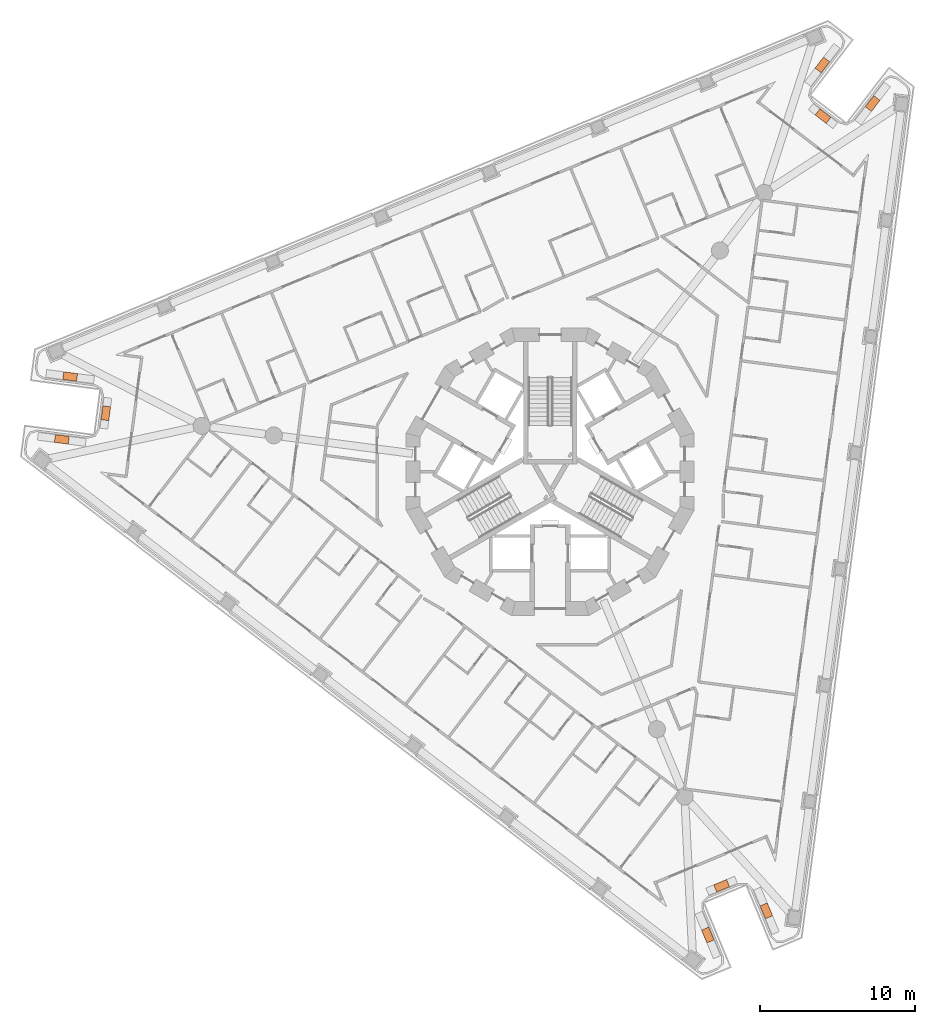
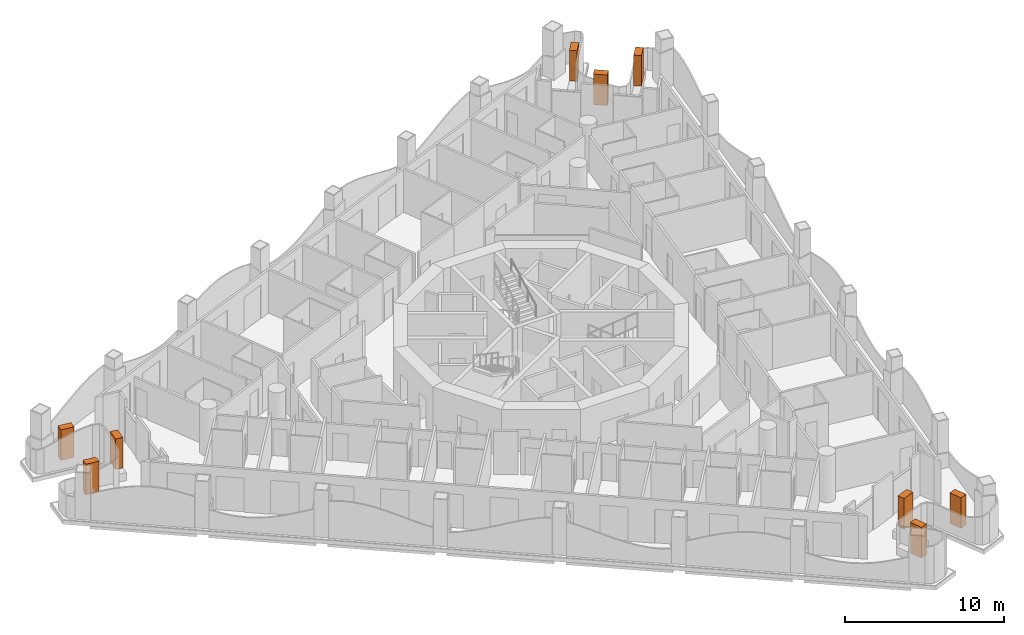
# One storey, part 18 of 18: 9 geographic elements.
"""IFC4 building model written with IfcOpenShell, lengths in metres."""

from ifc_helpers import new_model, si_unit, direction, frame, origin, origin_2d, place, context, subcontext, project, spatial, rectangle, extrude, element, save


model = new_model("IFC4")

# Units and contexts
model_context = context("Model", 3, precision=1e-05, world=origin(), true_north=direction((0.0, 1.0)))
body_context = subcontext(model_context, "Body", "Model", "MODEL_VIEW")
ifc_project = project(units=[si_unit("LENGTHUNIT", "METRE"), si_unit("AREAUNIT", "SQUARE_METRE"), si_unit("VOLUMEUNIT", "CUBIC_METRE"), si_unit("PLANEANGLEUNIT", "RADIAN"), si_unit("MASSUNIT", "GRAM", prefix="KILO")], contexts=[model_context])

# Site, building, storey
site_placement = place(None, origin())
site = spatial("IfcSite", under=ifc_project, at=site_placement, CompositionType="ELEMENT")
building_placement = place(site_placement, origin())
building = spatial("IfcBuilding", under=site, at=building_placement, Name="Trine Commons Tower", CompositionType="ELEMENT")
storey_placement = place(building_placement, frame((0.0, 0.0, 145.800048828125)))
storey = spatial("IfcBuildingStorey", under=building, at=storey_placement, Name="L37", CompositionType="ELEMENT", Elevation=145.800048828125)

# Geographic elements
for number, where, z_axis, x_axis, name in (
    (1, (48.54638671875, 64.58349609375, 0.599853515625), (0.0, 0.0, 1.0), (0.991446455978, -0.130514079426, 0.0), "Tree 1.1"),
    (2, (51.380615234375, 66.267822265625, 0.599853515625), (0.0, 0.0, 1.0), (0.130543496177, 0.991442583111, 0.0), "Tree 2.1"),
    (3, (49.078857421875, 68.62841796875, 0.599853515625), (0.0, 0.0, 1.0), (-0.991446000392, 0.130517540226, 0.0), "Tree 3.1"),
    (4, (97.531005859375, 88.697998046875, 0.599853515625), (0.0, 0.0, 1.0), (-0.608754505672, -0.793358652707, 0.0), "Tree 4.1"),
    (5, (97.57275390625, 85.4013671875, 0.599853515625), (0.0, 0.0, 1.0), (0.793335277627, -0.608784968008, 0.0), "Tree 5.1"),
    (6, (100.767822265625, 86.214111328125, 0.599853515625), (0.0, 0.0, 1.0), (0.6087683523, 0.793348027815, 0.0), "Tree 6.1"),
    (7, (93.922607421875, 34.21875, 0.599853515625), (0.0, 0.0, 1.0), (-0.382694719654, 0.923874857082, 0.0), "Tree 7.1"),
    (8, (91.046630859375, 35.830810546875, 0.599853515625), (0.0, 0.0, 1.0), (-0.923877528773, -0.382688269782, 0.0), "Tree 8.1"),
    (9, (90.153076171875, 32.657470703125, 0.599853515625), (0.0, 0.0, 1.0), (0.382694719654, -0.923874857082, 0.0), "Tree 9.1"),
):
    element("IfcGeographicElement", number, at=place(storey_placement, frame(where, z_axis=z_axis, x_axis=x_axis)), inside=storey, Name=name, ObjectType="TREE Tabebuia rosea", PredefinedType="USERDEFINED", context=body_context, shape_type="SweptSolid", body=[
        extrude(rectangle(XDim=0.89990234375, YDim=0.5, at=origin_2d()), origin(), (0.0, 0.0, 1.0), 2.35009765625),
    ])

save(model, "model.ifc")
